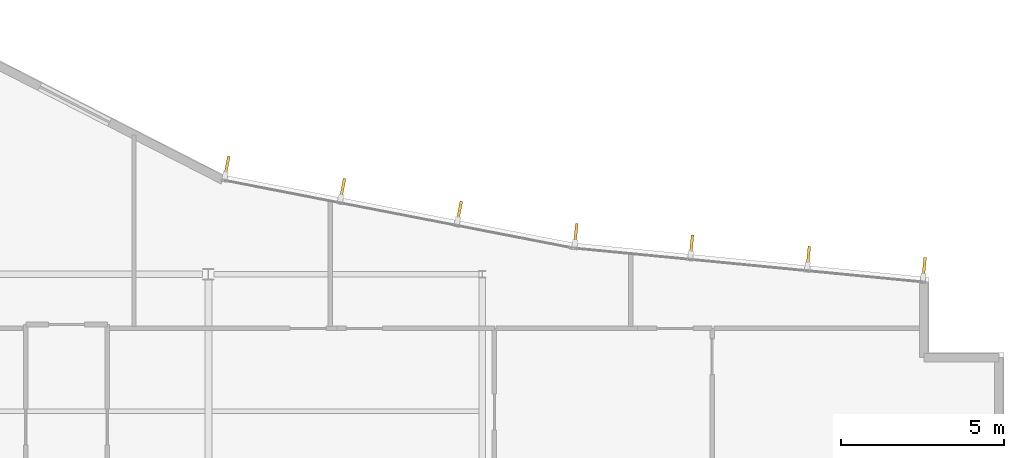
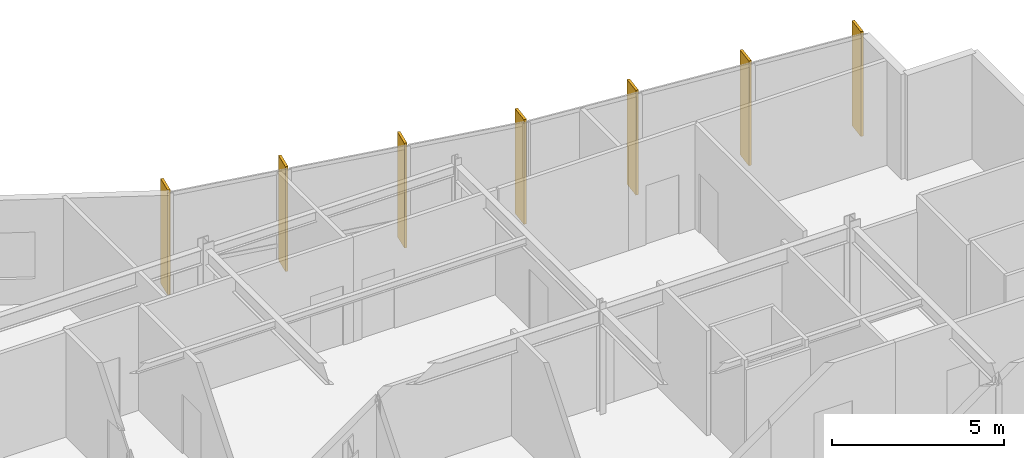
# One storey, part 15 of 16: 7 shading devices.
"""IFC4 building model written with IfcOpenShell, lengths in metres."""

from ifc_helpers import new_model, si_unit, direction, frame, origin, origin_2d, place, context, subcontext, project, spatial, rectangle, extrude, material, layer, layer_set, type_object, element, save


model = new_model("IFC4")

# Units and contexts
model_context = context("Model", 3, precision=1e-05, world=origin(), true_north=direction((0.0, 1.0)))
body_context = subcontext(model_context, "Body", "Model", "MODEL_VIEW")
ifc_project = project(units=[si_unit("LENGTHUNIT", "METRE"), si_unit("AREAUNIT", "SQUARE_METRE"), si_unit("VOLUMEUNIT", "CUBIC_METRE"), si_unit("PLANEANGLEUNIT", "RADIAN"), si_unit("MASSUNIT", "GRAM", prefix="KILO")], contexts=[model_context])

# Site, building, storey
site_placement = place(None, origin())
site = spatial("IfcSite", under=ifc_project, at=site_placement, CompositionType="ELEMENT")
building_placement = place(site_placement, origin())
building = spatial("IfcBuilding", under=site, at=building_placement, Name="Varnakote Quay Hospital", CompositionType="ELEMENT")
storey_placement = place(building_placement, frame((0.0, 0.0, 280.25)))
storey = spatial("IfcBuildingStorey", under=building, at=storey_placement, Name="L69", CompositionType="ELEMENT", Elevation=280.25)

# Shading devices
ifc_material = material(Name="Anodised aluminium 6063-T6 Bronze", Category="aluminium")
ifc_layer = layer(ifc_material, 0.0849609375)
ifc_layer_set = layer_set([ifc_layer], Name="Anodised aluminium 6063-T6 Bronze")
shading_device_type = type_object("IfcShadingDeviceType", Name="SHD-BRONZE-FIN-620", PredefinedType="USERDEFINED", material=ifc_layer_set)
for number, where, z_axis, x_axis, name in (
    (1, (38.751220703125, 29.005859375, 0.0), (0.0, 0.0, 1.0), (-0.096540646748, -0.995329042842, 0.0), "L69 Anodised Bronze Vertical Shading FIN"),
    (2, (35.201171875, 29.350341796875, 0.0), (0.0, 0.0, 1.0), (-0.096540646748, -0.995329042842, 0.0), "L69 Anodised Bronze Vertical Shading FIN"),
    (3, (31.618896484375, 29.69775390625, 0.0), (0.0, 0.0, 1.0), (-0.096540646748, -0.995329042842, 0.0), "L69 Anodised Bronze Vertical Shading FIN"),
    (4, (28.06884765625, 30.042236328125, 0.0), (0.0, 0.0, 1.0), (-0.096540646748, -0.995329042842, 0.0), "L69 Anodised Bronze Vertical Shading FIN"),
    (5, (24.498291015625, 30.73388671875, 0.0), (0.0, 0.0, 1.0), (-0.190466331231, -0.981693728546, 0.0), "L69 Anodised Bronze Vertical Shading FIN"),
    (6, (20.91748046875, 31.428466796875, 0.0), (0.0, 0.0, 1.0), (-0.190466331231, -0.981693728546, 0.0), "L69 Anodised Bronze Vertical Shading FIN"),
    (7, (17.368896484375, 32.11669921875, 0.0), (0.0, 0.0, 1.0), (-0.190466331231, -0.981693728546, 0.0), "L69 Anodised Bronze Vertical Shading FIN"),
):
    element("IfcShadingDevice", number, at=place(storey_placement, frame(where, z_axis=z_axis, x_axis=x_axis)), inside=storey, type_object=shading_device_type, Name=name, ObjectType="FIN", PredefinedType="USERDEFINED", context=body_context, shape_type="SweptSolid", body=[
        extrude(rectangle(XDim=0.6201171875, YDim=0.0849609375, at=origin_2d()), origin(), (0.0, 0.0, 1.0), 3.7099609375),
    ])

save(model, "model.ifc")
